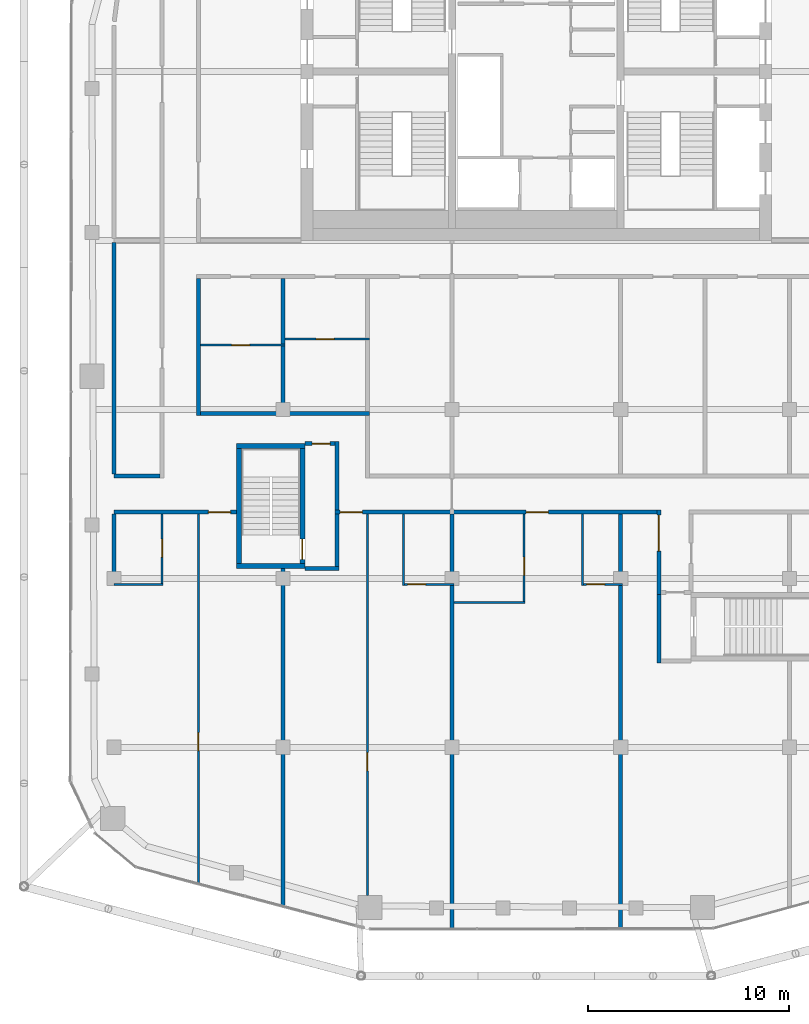
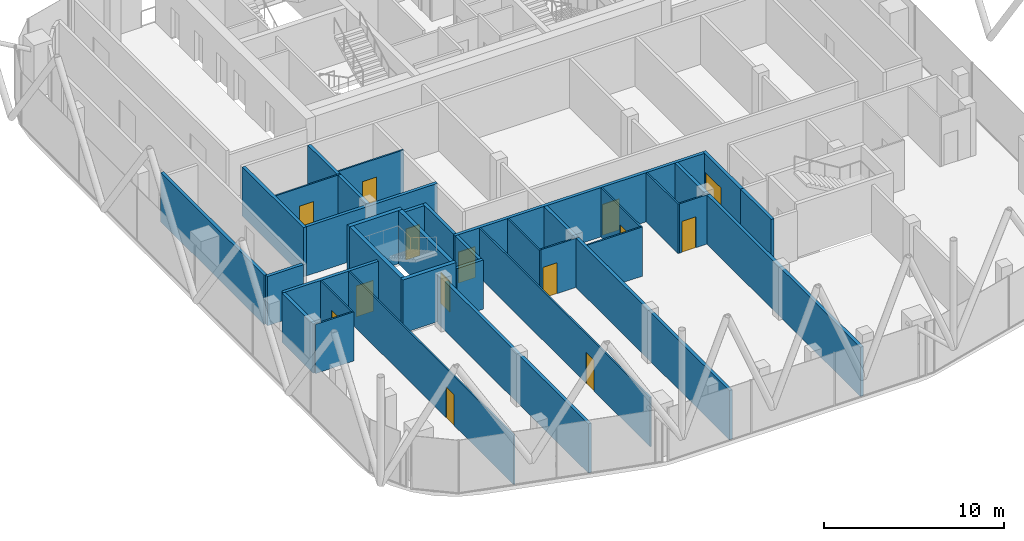
# One storey, part 21 of 27: 33 walls, 14 doors, 14 openings.
"""IFC4 building model written with IfcOpenShell, lengths in metres."""

from ifc_helpers import new_model, si_unit, direction, frame, frame_2d, origin, place, context, subcontext, project, spatial, rectangle, extrude, material, layer, layer_set, type_object, element, fill, save


model = new_model("IFC4")

# Units and contexts
model_context = context("Model", 3, precision=1e-05, world=origin(), true_north=direction((0.0, 1.0)))
body_context = subcontext(model_context, "Body", "Model", "MODEL_VIEW")
ifc_project = project(units=[si_unit("LENGTHUNIT", "METRE"), si_unit("AREAUNIT", "SQUARE_METRE"), si_unit("VOLUMEUNIT", "CUBIC_METRE"), si_unit("PLANEANGLEUNIT", "RADIAN"), si_unit("MASSUNIT", "GRAM", prefix="KILO")], contexts=[model_context])

# Site, building, storey
site_placement = place(None, origin())
site = spatial("IfcSite", under=ifc_project, at=site_placement, CompositionType="ELEMENT")
building_placement = place(site_placement, origin())
building = spatial("IfcBuilding", under=site, at=building_placement, Name="Marenta Gate Hotel Tower", CompositionType="ELEMENT")
storey_placement = place(building_placement, frame((0.0, 0.0, 270.5)))
storey = spatial("IfcBuildingStorey", under=building, at=storey_placement, Name="L62", CompositionType="ELEMENT", Elevation=270.5)

# Walls
ifc_material_1 = material(Name="Concrete blockwork", Category="masonry")
ifc_layer_1 = layer(ifc_material_1, 0.199951171875)
ifc_layer_set_1 = layer_set([ifc_layer_1], Name="Concrete blockwork")
wall_type_1 = type_object("IfcWallType", Name="Compartment wall 200 REI 180", PredefinedType="PARTITIONING", material=ifc_layer_set_1)
wall_1_placement = place(storey_placement, frame((-4.199951171875, -34.199951171875, 0.0), z_axis=(0.0, 0.0, 1.0), x_axis=(0.0, 1.0, 0.0)))
element("IfcWall", 1, at=wall_1_placement, inside=storey, type_object=wall_type_1, Name="L62-PTN-W040", PredefinedType="PARTITIONING", context=body_context, shape_type="SweptSolid", body=[
    extrude(rectangle(XDim=20.599853515625, YDim=0.199951171875, at=frame_2d((10.2998046875, 0.0))), origin(), (0.0, 0.0, 1.0), 3.340087890625),
])
ifc_material_2 = material(Name="Concrete C40", Category="concrete")
ifc_layer_2 = layer(ifc_material_2, 0.25)
ifc_layer_set_2 = layer_set([ifc_layer_2], Name="Concrete C40")
wall_type_2 = type_object("IfcWallType", Name="Remote stair enclosure wall 250 REI 180", PredefinedType="SHEAR", material=ifc_layer_set_2)
for number, where, z_axis, x_axis, name in (
    (2, (-14.89990234375, -16.175048828125, 0.10009765625), (0.0, 0.0, 1.0), (1.0, 0.0, 0.0), "L62-RS-Z4-2-W1"),
    (3, (-14.89990234375, -10.22509765625, 0.10009765625), (0.0, 0.0, 1.0), (1.0, 0.0, 0.0), "L62-RS-Z4-2-W2"),
):
    element("IfcWall", number, at=place(storey_placement, frame(where, z_axis=z_axis, x_axis=x_axis)), inside=storey, type_object=wall_type_2, Name=name, PredefinedType="SHEAR", context=body_context, shape_type="SweptSolid", body=[
        extrude(rectangle(XDim=3.39990234375, YDim=0.25, at=frame_2d((1.699951171875, 0.0))), origin(), (0.0, 0.0, 1.0), 3.599853515625),
    ])
wall_2_placement = place(storey_placement, frame((-14.77490234375, -16.050048828125, 0.10009765625), z_axis=(0.0, 0.0, 1.0), x_axis=(0.0, 1.0, 0.0)))
element("IfcWall", 4, at=wall_2_placement, inside=storey, type_object=wall_type_2, Name="L62-RS-Z4-2-W3", PredefinedType="SHEAR", context=body_context, shape_type="SweptSolid", body=[
    extrude(rectangle(XDim=5.699951171875, YDim=0.25, at=frame_2d((2.85009765625, 0.0))), origin(), (0.0, 0.0, 1.0), 3.599853515625),
])

# Wall, opening, door
wall_3_placement = place(storey_placement, frame((-11.625, -16.050048828125, 0.10009765625), z_axis=(0.0, 0.0, 1.0), x_axis=(0.0, 1.0, 0.0)))
wall_3 = element("IfcWall", 5, at=wall_3_placement, inside=storey, type_object=wall_type_2, Name="L62-RS-Z4-2-W4", PredefinedType="SHEAR", context=body_context, shape_type="SweptSolid", body=[
    extrude(rectangle(XDim=5.699951171875, YDim=0.25, at=frame_2d((2.85009765625, 0.0))), origin(), (0.0, 0.0, 1.0), 3.599853515625),
])
opening_1_placement = place(wall_3_placement, frame((0.199951171875, 0.0, 0.0)))
opening_1 = element("IfcOpeningElement", 6, at=opening_1_placement, cuts=wall_3, Name="Opening VD", PredefinedType="OPENING", context=body_context, shape_type="SweptSolid", body=[
    extrude(rectangle(XDim=1.0, YDim=2.10009765625, at=frame_2d((0.5, 1.050048828125))), frame((0.0, 0.125, 0.0), z_axis=(0.0, -1.0, 0.0), x_axis=(1.0, 0.0, 0.0)), (0.0, 0.0, 1.0), 0.25),
])
ifc_material_3 = material(Name="Steel", Category="steel")
door_type_1 = type_object("IfcDoorType", Name="Stair vestibule door 1000x2100 FD60", OperationType="SINGLE_SWING_LEFT", PredefinedType="DOOR", material=ifc_material_3)
door_1_placement = place(opening_1_placement, origin())
door_1 = element("IfcDoor", 7, at=door_1_placement, inside=storey, type_object=door_type_1, Name="VD", OperationType="SINGLE_SWING_LEFT", OverallHeight=2.10009765625, OverallWidth=1.0, PredefinedType="DOOR", context=body_context, shape_type="SweptSolid", body=[
    extrude(rectangle(XDim=1.0, YDim=2.10009765625, at=frame_2d((0.5, 1.050048828125))), frame((0.0, 0.02490234375, 0.0), z_axis=(0.0, -1.0, 0.0), x_axis=(1.0, 0.0, 0.0)), (0.0, 0.0, 1.0), 0.050048828125),
])
fill(opening_1, door_1)

# Wall
ifc_material_4 = material(Name="Concrete blockwork", Category="masonry")
ifc_layer_3 = layer(ifc_material_4, 0.199951171875)
ifc_layer_set_3 = layer_set([ifc_layer_3], Name="Concrete blockwork")
wall_type_3 = type_object("IfcWallType", Name="Room corridor wall 200 EI 120", PredefinedType="PARTITIONING", material=ifc_layer_set_3)
wall_4_placement = place(storey_placement, frame((-16.699951171875, -8.60009765625, 0.0), z_axis=(0.0, 0.0, 1.0), x_axis=(1.0, 0.0, 0.0)))
element("IfcWall", 8, at=wall_4_placement, inside=storey, type_object=wall_type_3, Name="L62-PTN-W026", PredefinedType="PARTITIONING", context=body_context, shape_type="SweptSolid", body=[
    extrude(rectangle(XDim=8.39990234375, YDim=0.199951171875, at=frame_2d((4.199951171875, 0.0))), origin(), (0.0, 0.0, 1.0), 3.340087890625),
])

# Wall, opening, door
ifc_material_5 = material(Name="Gypsum board on steel stud", Category="steel")
ifc_layer_4 = layer(ifc_material_5, 0.199951171875)
ifc_layer_set_4 = layer_set([ifc_layer_4], Name="Gypsum board on steel stud")
wall_type_4 = type_object("IfcWallType", Name="Room corridor wall 200 EI 60", PredefinedType="PARTITIONING", material=ifc_layer_set_4)
wall_5_placement = place(storey_placement, frame((-21.0, -13.5, 0.0), z_axis=(0.0, 0.0, 1.0), x_axis=(1.0, 0.0, 0.0)))
wall_5 = element("IfcWall", 9, at=wall_5_placement, inside=storey, type_object=wall_type_4, Name="L62-PTN-W016", PredefinedType="PARTITIONING", context=body_context, shape_type="SweptSolid", body=[
    extrude(rectangle(XDim=6.10009765625, YDim=0.199951171875, at=frame_2d((3.050048828125, 0.0))), origin(), (0.0, 0.0, 1.0), 3.340087890625),
])
opening_2_placement = place(wall_5_placement, frame((4.699951171875, 0.0, 0.0)))
opening_2 = element("IfcOpeningElement", 10, at=opening_2_placement, cuts=wall_5, Name="Opening G23-11", PredefinedType="OPENING", context=body_context, shape_type="SweptSolid", body=[
    extrude(rectangle(XDim=1.10009765625, YDim=2.10009765625, at=frame_2d((0.550048828125, 1.050048828125))), frame((0.0, 0.10009765625, 0.0), z_axis=(0.0, -1.0, 0.0), x_axis=(1.0, 0.0, 0.0)), (0.0, 0.0, 1.0), 0.199951171875),
])
ifc_material_6 = material(Name="Timber door leaf", Category="wood")
door_type_2 = type_object("IfcDoorType", Name="Guest room door 1100x2100 EI 30", OperationType="NOTDEFINED", PredefinedType="DOOR", material=ifc_material_6)
door_2_placement = place(opening_2_placement, origin())
door_2 = element("IfcDoor", 11, at=door_2_placement, inside=storey, type_object=door_type_2, Name="L62-PD-D011", OperationType="SINGLE_SWING_RIGHT", OverallHeight=2.10009765625, OverallWidth=1.10009765625, PredefinedType="DOOR", context=body_context, shape_type="SweptSolid", body=[
    extrude(rectangle(XDim=1.10009765625, YDim=2.10009765625, at=frame_2d((0.550048828125, 1.050048828125))), frame((0.0, 0.02490234375, 0.0), z_axis=(0.0, -1.0, 0.0), x_axis=(1.0, 0.0, 0.0)), (0.0, 0.0, 1.0), 0.050048828125),
])
fill(opening_2, door_2)

# Wall, openings, doors
wall_6_placement = place(storey_placement, frame((-10.0, -13.5, 0.0), z_axis=(0.0, 0.0, 1.0), x_axis=(1.0, 0.0, 0.0)))
wall_6 = element("IfcWall", 12, at=wall_6_placement, inside=storey, type_object=wall_type_4, Name="L62-PTN-W017", PredefinedType="PARTITIONING", context=body_context, shape_type="SweptSolid", body=[
    extrude(rectangle(XDim=16.0, YDim=0.199951171875, at=frame_2d((8.0, 0.0))), origin(), (0.0, 0.0, 1.0), 3.340087890625),
])
opening_3_placement = place(wall_6_placement, frame((0.25, 0.0, 0.0)))
opening_3 = element("IfcOpeningElement", 13, at=opening_3_placement, cuts=wall_6, Name="Opening G23-14", PredefinedType="OPENING", context=body_context, shape_type="SweptSolid", body=[
    extrude(rectangle(XDim=1.10009765625, YDim=2.10009765625, at=frame_2d((0.550048828125, 1.050048828125))), frame((0.0, 0.10009765625, 0.0), z_axis=(0.0, -1.0, 0.0), x_axis=(1.0, 0.0, 0.0)), (0.0, 0.0, 1.0), 0.199951171875),
])
opening_4_placement = place(wall_6_placement, frame((9.5, 0.0, 0.0)))
opening_4 = element("IfcOpeningElement", 14, at=opening_4_placement, cuts=wall_6, Name="Opening G23-17", PredefinedType="OPENING", context=body_context, shape_type="SweptSolid", body=[
    extrude(rectangle(XDim=1.10009765625, YDim=2.10009765625, at=frame_2d((0.550048828125, 1.050048828125))), frame((0.0, 0.10009765625, 0.0), z_axis=(0.0, -1.0, 0.0), x_axis=(1.0, 0.0, 0.0)), (0.0, 0.0, 1.0), 0.199951171875),
])
door_3_placement = place(opening_3_placement, origin())
door_3 = element("IfcDoor", 15, at=door_3_placement, inside=storey, type_object=door_type_2, Name="L62-PD-D014", OperationType="SINGLE_SWING_RIGHT", OverallHeight=2.10009765625, OverallWidth=1.10009765625, PredefinedType="DOOR", context=body_context, shape_type="SweptSolid", body=[
    extrude(rectangle(XDim=1.10009765625, YDim=2.10009765625, at=frame_2d((0.550048828125, 1.050048828125))), frame((0.0, 0.02490234375, 0.0), z_axis=(0.0, -1.0, 0.0), x_axis=(1.0, 0.0, 0.0)), (0.0, 0.0, 1.0), 0.050048828125),
])
fill(opening_3, door_3)
door_4_placement = place(opening_4_placement, origin())
door_4 = element("IfcDoor", 16, at=door_4_placement, inside=storey, type_object=door_type_2, Name="L62-PD-D017", OperationType="SINGLE_SWING_RIGHT", OverallHeight=2.10009765625, OverallWidth=1.10009765625, PredefinedType="DOOR", context=body_context, shape_type="SweptSolid", body=[
    extrude(rectangle(XDim=1.10009765625, YDim=2.10009765625, at=frame_2d((0.550048828125, 1.050048828125))), frame((0.0, 0.02490234375, 0.0), z_axis=(0.0, -1.0, 0.0), x_axis=(1.0, 0.0, 0.0)), (0.0, 0.0, 1.0), 0.050048828125),
])
fill(opening_4, door_4)

# Wall
wall_7_placement = place(storey_placement, frame((-21.0, -11.699951171875, 0.0), z_axis=(0.0, 0.0, 1.0), x_axis=(1.0, 0.0, 0.0)))
element("IfcWall", 17, at=wall_7_placement, inside=storey, type_object=wall_type_4, Name="L62-PTN-W022", PredefinedType="PARTITIONING", context=body_context, shape_type="SweptSolid", body=[
    extrude(rectangle(XDim=2.300048828125, YDim=0.199951171875, at=frame_2d((1.14990234375, 0.0))), origin(), (0.0, 0.0, 1.0), 3.340087890625),
])

# Wall, opening, door
wall_8_placement = place(storey_placement, frame((6.10009765625, -17.60009765625, 0.0), z_axis=(0.0, 0.0, 1.0), x_axis=(0.0, 1.0, 0.0)))
wall_8 = element("IfcWall", 18, at=wall_8_placement, inside=storey, type_object=wall_type_4, Name="L62-PTN-W030", PredefinedType="PARTITIONING", context=body_context, shape_type="SweptSolid", body=[
    extrude(rectangle(XDim=4.2001953125, YDim=0.199951171875, at=frame_2d((2.10009765625, 0.0))), origin(), (0.0, 0.0, 1.0), 3.340087890625),
])
opening_5_placement = place(wall_8_placement, frame((2.14990234375, 0.0, 0.0)))
opening_5 = element("IfcOpeningElement", 19, at=opening_5_placement, cuts=wall_8, Name="Opening G23-20", PredefinedType="OPENING", context=body_context, shape_type="SweptSolid", body=[
    extrude(rectangle(XDim=1.800048828125, YDim=2.10009765625, at=frame_2d((0.89990234375, 1.050048828125))), frame((0.0, 0.10009765625, 0.0), z_axis=(0.0, -1.0, 0.0), x_axis=(1.0, 0.0, 0.0)), (0.0, 0.0, 1.0), 0.199951171875),
])
ifc_material_7 = material(Name="Timber door leaf", Category="wood")
door_type_3 = type_object("IfcDoorType", Name="Room amenity door 1800x2100 EI 30", OperationType="DOUBLE_DOOR_SINGLE_SWING", PredefinedType="DOOR", material=ifc_material_7)
door_5_placement = place(opening_5_placement, origin())
door_5 = element("IfcDoor", 20, at=door_5_placement, inside=storey, type_object=door_type_3, Name="L62-PD-D020", OperationType="DOUBLE_DOOR_SINGLE_SWING", OverallHeight=2.10009765625, OverallWidth=1.800048828125, PredefinedType="DOOR", context=body_context, shape_type="SweptSolid", body=[
    extrude(rectangle(XDim=1.800048828125, YDim=2.10009765625, at=frame_2d((0.89990234375, 1.050048828125))), frame((0.0, 0.02490234375, 0.0), z_axis=(0.0, -1.0, 0.0), x_axis=(1.0, 0.0, 0.0)), (0.0, 0.0, 1.0), 0.050048828125),
])
fill(opening_5, door_5)

# Walls
wall_9_placement = place(storey_placement, frame((-16.800048828125, -8.699951171875, 0.0), z_axis=(0.0, 0.0, 1.0), x_axis=(0.0, 1.0, 0.0)))
element("IfcWall", 21, at=wall_9_placement, inside=storey, type_object=wall_type_4, Name="L62-PTN-W051", PredefinedType="PARTITIONING", context=body_context, shape_type="SweptSolid", body=[
    extrude(rectangle(XDim=6.800048828125, YDim=0.199951171875, at=frame_2d((3.39990234375, 0.0))), origin(), (0.0, 0.0, 1.0), 3.340087890625),
])
wall_10_placement = place(storey_placement, frame((-21.0, -17.050048828125, 0.0), z_axis=(0.0, 0.0, 1.0), x_axis=(0.0, 1.0, 0.0)))
element("IfcWall", 22, at=wall_10_placement, inside=storey, type_object=wall_type_4, Name="L62-PTN-W054", PredefinedType="PARTITIONING", context=body_context, shape_type="SweptSolid", body=[
    extrude(rectangle(XDim=3.449951171875, YDim=0.199951171875, at=frame_2d((1.72509765625, 0.0))), origin(), (0.0, 0.0, 1.0), 3.340087890625),
])
wall_11_placement = place(storey_placement, frame((-21.0, -11.60009765625, 0.0), z_axis=(0.0, 0.0, 1.0), x_axis=(0.0, 1.0, 0.0)))
element("IfcWall", 23, at=wall_11_placement, inside=storey, type_object=wall_type_4, Name="L62-PTN-W055", PredefinedType="PARTITIONING", context=body_context, shape_type="SweptSolid", body=[
    extrude(rectangle(XDim=11.5, YDim=0.199951171875, at=frame_2d((5.75, 0.0))), origin(), (0.0, 0.0, 1.0), 3.340087890625),
])

# Wall, opening, door
ifc_material_8 = material(Name="Concrete blockwork", Category="masonry")
ifc_layer_5 = layer(ifc_material_8, 0.199951171875)
ifc_layer_set_5 = layer_set([ifc_layer_5], Name="Concrete blockwork")
wall_type_5 = type_object("IfcWallType", Name="Room corridor wall 200 REI 180", PredefinedType="PARTITIONING", material=ifc_layer_set_5)
wall_12_placement = place(storey_placement, frame((-11.5, -10.10009765625, 0.0), z_axis=(0.0, 0.0, 1.0), x_axis=(1.0, 0.0, 0.0)))
wall_12 = element("IfcWall", 24, at=wall_12_placement, inside=storey, type_object=wall_type_5, Name="L62-PTN-W025", PredefinedType="PARTITIONING", context=body_context, shape_type="SweptSolid", body=[
    extrude(rectangle(XDim=1.5, YDim=0.199951171875, at=frame_2d((0.75, 0.0))), origin(), (0.0, 0.0, 1.0), 3.340087890625),
])
opening_6_placement = place(wall_12_placement, frame((0.35009765625, 0.0, 0.0)))
opening_6 = element("IfcOpeningElement", 25, at=opening_6_placement, cuts=wall_12, Name="Opening G23-26", PredefinedType="OPENING", context=body_context, shape_type="SweptSolid", body=[
    extrude(rectangle(XDim=0.89990234375, YDim=2.10009765625, at=frame_2d((0.449951171875, 1.050048828125))), frame((0.0, 0.10009765625, 0.0), z_axis=(0.0, -1.0, 0.0), x_axis=(1.0, 0.0, 0.0)), (0.0, 0.0, 1.0), 0.199951171875),
])
ifc_material_9 = material(Name="Hollow steel door set", Category="steel")
door_type_4 = type_object("IfcDoorType", Name="Stair vestibule door 900x2100 EI 60", OperationType="NOTDEFINED", PredefinedType="DOOR", material=ifc_material_9)
door_6_placement = place(opening_6_placement, origin())
door_6 = element("IfcDoor", 26, at=door_6_placement, inside=storey, type_object=door_type_4, Name="L62-PD-D026", OperationType="SINGLE_SWING_LEFT", OverallHeight=2.10009765625, OverallWidth=0.89990234375, PredefinedType="DOOR", context=body_context, shape_type="SweptSolid", body=[
    extrude(rectangle(XDim=0.89990234375, YDim=2.10009765625, at=frame_2d((0.449951171875, 1.050048828125))), frame((0.0, 0.02490234375, 0.0), z_axis=(0.0, -1.0, 0.0), x_axis=(1.0, 0.0, 0.0)), (0.0, 0.0, 1.0), 0.050048828125),
])
fill(opening_6, door_6)

# Walls
wall_13_placement = place(storey_placement, frame((-9.89990234375, -13.39990234375, 0.0), z_axis=(0.0, 0.0, 1.0), x_axis=(0.0, 1.0, 0.0)))
element("IfcWall", 27, at=wall_13_placement, inside=storey, type_object=wall_type_5, Name="L62-PTN-W047", PredefinedType="PARTITIONING", context=body_context, shape_type="SweptSolid", body=[
    extrude(rectangle(XDim=3.39990234375, YDim=0.199951171875, at=frame_2d((1.699951171875, 0.0))), origin(), (0.0, 0.0, 1.0), 3.340087890625),
])
ifc_material_10 = material(Name="Gypsum board on steel stud", Category="steel")
ifc_layer_6 = layer(ifc_material_10, 0.10009765625)
ifc_layer_set_6 = layer_set([ifc_layer_6], Name="Gypsum board on steel stud")
wall_type_6 = type_object("IfcWallType", Name="Room partition 100", PredefinedType="PARTITIONING", material=ifc_layer_set_6)
wall_14_placement = place(storey_placement, frame((-4.10009765625, -18.0, 0.0), z_axis=(0.0, 0.0, 1.0), x_axis=(1.0, 0.0, 0.0)))
element("IfcWall", 28, at=wall_14_placement, inside=storey, type_object=wall_type_6, Name="L62-PTN-W006", PredefinedType="PARTITIONING", context=body_context, shape_type="SweptSolid", body=[
    extrude(rectangle(XDim=3.550048828125, YDim=0.10009765625, at=frame_2d((1.77490234375, 0.0))), origin(), (0.0, 0.0, 1.0), 3.340087890625),
])
wall_15_placement = place(storey_placement, frame((-21.0, -17.10009765625, 0.0), z_axis=(0.0, 0.0, 1.0), x_axis=(1.0, 0.0, 0.0)))
element("IfcWall", 29, at=wall_15_placement, inside=storey, type_object=wall_type_6, Name="L62-PTN-W009", PredefinedType="PARTITIONING", context=body_context, shape_type="SweptSolid", body=[
    extrude(rectangle(XDim=2.449951171875, YDim=0.10009765625, at=frame_2d((1.22509765625, 0.0))), origin(), (0.0, 0.0, 1.0), 3.340087890625),
])

# Wall, opening, door
wall_16_placement = place(storey_placement, frame((-6.550048828125, -17.10009765625, 0.0), z_axis=(0.0, 0.0, 1.0), x_axis=(1.0, 0.0, 0.0)))
wall_16 = element("IfcWall", 30, at=wall_16_placement, inside=storey, type_object=wall_type_6, Name="L62-PTN-W010", PredefinedType="PARTITIONING", context=body_context, shape_type="SweptSolid", body=[
    extrude(rectangle(XDim=2.449951171875, YDim=0.10009765625, at=frame_2d((1.22509765625, 0.0))), origin(), (0.0, 0.0, 1.0), 3.340087890625),
])
opening_7_placement = place(wall_16_placement, frame((0.14990234375, 0.0, 0.0)))
opening_7 = element("IfcOpeningElement", 31, at=opening_7_placement, cuts=wall_16, Name="Opening G23-16", PredefinedType="OPENING", context=body_context, shape_type="SweptSolid", body=[
    extrude(rectangle(XDim=0.89990234375, YDim=2.10009765625, at=frame_2d((0.449951171875, 1.050048828125))), frame((0.0, 0.050048828125, 0.0), z_axis=(0.0, -1.0, 0.0), x_axis=(1.0, 0.0, 0.0)), (0.0, 0.0, 1.0), 0.10009765625),
])
ifc_material_11 = material(Name="Timber door leaf", Category="wood")
door_type_5 = type_object("IfcDoorType", Name="Guest bathroom door 900x2100", OperationType="NOTDEFINED", PredefinedType="DOOR", material=ifc_material_11)
door_7_placement = place(opening_7_placement, origin())
door_7 = element("IfcDoor", 32, at=door_7_placement, inside=storey, type_object=door_type_5, Name="L62-PD-D016", OperationType="SINGLE_SWING_LEFT", OverallHeight=2.10009765625, OverallWidth=0.89990234375, PredefinedType="DOOR", context=body_context, shape_type="SweptSolid", body=[
    extrude(rectangle(XDim=0.89990234375, YDim=2.10009765625, at=frame_2d((0.449951171875, 1.050048828125))), frame((0.0, 0.02490234375, 0.0), z_axis=(0.0, -1.0, 0.0), x_axis=(1.0, 0.0, 0.0)), (0.0, 0.0, 1.0), 0.050048828125),
])
fill(opening_7, door_7)

wall_17_placement = place(storey_placement, frame((2.35009765625, -17.10009765625, 0.0), z_axis=(0.0, 0.0, 1.0), x_axis=(1.0, 0.0, 0.0)))
wall_17 = element("IfcWall", 33, at=wall_17_placement, inside=storey, type_object=wall_type_6, Name="L62-PTN-W011", PredefinedType="PARTITIONING", context=body_context, shape_type="SweptSolid", body=[
    extrude(rectangle(XDim=1.949951171875, YDim=0.10009765625, at=frame_2d((0.97509765625, 0.0))), origin(), (0.0, 0.0, 1.0), 3.340087890625),
])
opening_8_placement = place(wall_17_placement, frame((0.14990234375, 0.0, 0.0)))
opening_8 = element("IfcOpeningElement", 34, at=opening_8_placement, cuts=wall_17, Name="Opening G23-19", PredefinedType="OPENING", context=body_context, shape_type="SweptSolid", body=[
    extrude(rectangle(XDim=0.89990234375, YDim=2.10009765625, at=frame_2d((0.449951171875, 1.050048828125))), frame((0.0, 0.050048828125, 0.0), z_axis=(0.0, -1.0, 0.0), x_axis=(1.0, 0.0, 0.0)), (0.0, 0.0, 1.0), 0.10009765625),
])
ifc_material_12 = material(Name="Timber door leaf", Category="wood")
door_type_6 = type_object("IfcDoorType", Name="Room inner door 900x2100", OperationType="NOTDEFINED", PredefinedType="DOOR", material=ifc_material_12)
door_8_placement = place(opening_8_placement, origin())
door_8 = element("IfcDoor", 35, at=door_8_placement, inside=storey, type_object=door_type_6, Name="L62-PD-D019", OperationType="SINGLE_SWING_LEFT", OverallHeight=2.10009765625, OverallWidth=0.89990234375, PredefinedType="DOOR", context=body_context, shape_type="SweptSolid", body=[
    extrude(rectangle(XDim=0.89990234375, YDim=2.10009765625, at=frame_2d((0.449951171875, 1.050048828125))), frame((0.0, 0.02490234375, 0.0), z_axis=(0.0, -1.0, 0.0), x_axis=(1.0, 0.0, 0.0)), (0.0, 0.0, 1.0), 0.050048828125),
])
fill(opening_8, door_8)

wall_18_placement = place(storey_placement, frame((-16.699951171875, -5.199951171875, 0.0), z_axis=(0.0, 0.0, 1.0), x_axis=(1.0, 0.0, 0.0)))
wall_18 = element("IfcWall", 36, at=wall_18_placement, inside=storey, type_object=wall_type_6, Name="L62-PTN-W031", PredefinedType="PARTITIONING", context=body_context, shape_type="SweptSolid", body=[
    extrude(rectangle(XDim=4.199951171875, YDim=0.10009765625, at=frame_2d((2.10009765625, 0.0))), origin(), (0.0, 0.0, 1.0), 3.340087890625),
])
opening_9_placement = place(wall_18_placement, frame((1.550048828125, 0.0, 0.0)))
opening_9 = element("IfcOpeningElement", 37, at=opening_9_placement, cuts=wall_18, Name="Opening G23-02", PredefinedType="OPENING", context=body_context, shape_type="SweptSolid", body=[
    extrude(rectangle(XDim=0.89990234375, YDim=2.10009765625, at=frame_2d((0.449951171875, 1.050048828125))), frame((0.0, 0.050048828125, 0.0), z_axis=(0.0, -1.0, 0.0), x_axis=(1.0, 0.0, 0.0)), (0.0, 0.0, 1.0), 0.10009765625),
])
door_9_placement = place(opening_9_placement, origin())
door_9 = element("IfcDoor", 38, at=door_9_placement, inside=storey, type_object=door_type_6, Name="L62-PD-D002", OperationType="SINGLE_SWING_RIGHT", OverallHeight=2.10009765625, OverallWidth=0.89990234375, PredefinedType="DOOR", context=body_context, shape_type="SweptSolid", body=[
    extrude(rectangle(XDim=0.89990234375, YDim=2.10009765625, at=frame_2d((0.449951171875, 1.050048828125))), frame((0.0, 0.02490234375, 0.0), z_axis=(0.0, -1.0, 0.0), x_axis=(1.0, 0.0, 0.0)), (0.0, 0.0, 1.0), 0.050048828125),
])
fill(opening_9, door_9)

wall_19_placement = place(storey_placement, frame((-12.5, -4.89990234375, 0.0), z_axis=(0.0, 0.0, 1.0), x_axis=(1.0, 0.0, 0.0)))
wall_19 = element("IfcWall", 39, at=wall_19_placement, inside=storey, type_object=wall_type_6, Name="L62-PTN-W032", PredefinedType="PARTITIONING", context=body_context, shape_type="SweptSolid", body=[
    extrude(rectangle(XDim=4.199951171875, YDim=0.10009765625, at=frame_2d((2.10009765625, 0.0))), origin(), (0.0, 0.0, 1.0), 3.340087890625),
])
opening_10_placement = place(wall_19_placement, frame((1.550048828125, 0.0, 0.0)))
opening_10 = element("IfcOpeningElement", 40, at=opening_10_placement, cuts=wall_19, Name="Opening G23-04", PredefinedType="OPENING", context=body_context, shape_type="SweptSolid", body=[
    extrude(rectangle(XDim=0.89990234375, YDim=2.10009765625, at=frame_2d((0.449951171875, 1.050048828125))), frame((0.0, 0.050048828125, 0.0), z_axis=(0.0, -1.0, 0.0), x_axis=(1.0, 0.0, 0.0)), (0.0, 0.0, 1.0), 0.10009765625),
])
door_10_placement = place(opening_10_placement, origin())
door_10 = element("IfcDoor", 41, at=door_10_placement, inside=storey, type_object=door_type_6, Name="L62-PD-D004", OperationType="SINGLE_SWING_RIGHT", OverallHeight=2.10009765625, OverallWidth=0.89990234375, PredefinedType="DOOR", context=body_context, shape_type="SweptSolid", body=[
    extrude(rectangle(XDim=0.89990234375, YDim=2.10009765625, at=frame_2d((0.449951171875, 1.050048828125))), frame((0.0, 0.02490234375, 0.0), z_axis=(0.0, -1.0, 0.0), x_axis=(1.0, 0.0, 0.0)), (0.0, 0.0, 1.0), 0.050048828125),
])
fill(opening_10, door_10)

# Wall
wall_20_placement = place(storey_placement, frame((2.300048828125, -17.14990234375, 0.0), z_axis=(0.0, 0.0, 1.0), x_axis=(0.0, 1.0, 0.0)))
element("IfcWall", 42, at=wall_20_placement, inside=storey, type_object=wall_type_6, Name="L62-PTN-W035", PredefinedType="PARTITIONING", context=body_context, shape_type="SweptSolid", body=[
    extrude(rectangle(XDim=3.5498046875, YDim=0.10009765625, at=frame_2d((1.77490234375, 0.0))), origin(), (0.0, 0.0, 1.0), 3.340087890625),
])

# Wall, opening, door
wall_21_placement = place(storey_placement, frame((-0.60009765625, -17.949951171875, 0.0), z_axis=(0.0, 0.0, 1.0), x_axis=(0.0, 1.0, 0.0)))
wall_21 = element("IfcWall", 43, at=wall_21_placement, inside=storey, type_object=wall_type_6, Name="L62-PTN-W039", PredefinedType="PARTITIONING", context=body_context, shape_type="SweptSolid", body=[
    extrude(rectangle(XDim=4.349853515625, YDim=0.10009765625, at=frame_2d((2.1748046875, 0.0))), origin(), (0.0, 0.0, 1.0), 3.340087890625),
])
opening_11_placement = place(wall_21_placement, frame((1.300048828125, 0.0, 0.0)))
opening_11 = element("IfcOpeningElement", 44, at=opening_11_placement, cuts=wall_21, Name="Opening G23-18", PredefinedType="OPENING", context=body_context, shape_type="SweptSolid", body=[
    extrude(rectangle(XDim=0.89990234375, YDim=2.10009765625, at=frame_2d((0.449951171875, 1.050048828125))), frame((0.0, 0.050048828125, 0.0), z_axis=(0.0, -1.0, 0.0), x_axis=(1.0, 0.0, 0.0)), (0.0, 0.0, 1.0), 0.10009765625),
])
door_11_placement = place(opening_11_placement, origin())
door_11 = element("IfcDoor", 45, at=door_11_placement, inside=storey, type_object=door_type_5, Name="L62-PD-D018", OperationType="SINGLE_SWING_LEFT", OverallHeight=2.10009765625, OverallWidth=0.89990234375, PredefinedType="DOOR", context=body_context, shape_type="SweptSolid", body=[
    extrude(rectangle(XDim=0.89990234375, YDim=2.10009765625, at=frame_2d((0.449951171875, 1.050048828125))), frame((0.0, 0.02490234375, 0.0), z_axis=(0.0, -1.0, 0.0), x_axis=(1.0, 0.0, 0.0)), (0.0, 0.0, 1.0), 0.050048828125),
])
fill(opening_11, door_11)

# Wall
wall_22_placement = place(storey_placement, frame((-6.60009765625, -17.14990234375, 0.0), z_axis=(0.0, 0.0, 1.0), x_axis=(0.0, 1.0, 0.0)))
element("IfcWall", 46, at=wall_22_placement, inside=storey, type_object=wall_type_6, Name="L62-PTN-W042", PredefinedType="PARTITIONING", context=body_context, shape_type="SweptSolid", body=[
    extrude(rectangle(XDim=3.5498046875, YDim=0.10009765625, at=frame_2d((1.77490234375, 0.0))), origin(), (0.0, 0.0, 1.0), 3.340087890625),
])

# Wall, opening, door
wall_23_placement = place(storey_placement, frame((-8.39990234375, -32.574951171875, 0.0), z_axis=(0.0, 0.0, 1.0), x_axis=(0.0, 1.0, 0.0)))
wall_23 = element("IfcWall", 47, at=wall_23_placement, inside=storey, type_object=wall_type_6, Name="L62-PTN-W043", PredefinedType="PARTITIONING", context=body_context, shape_type="SweptSolid", body=[
    extrude(rectangle(XDim=18.974853515625, YDim=0.10009765625, at=frame_2d((9.4873046875, 0.0))), origin(), (0.0, 0.0, 1.0), 3.340087890625),
])
opening_12_placement = place(wall_23_placement, frame((6.205078125, 0.0, 0.0)))
opening_12 = element("IfcOpeningElement", 48, at=opening_12_placement, cuts=wall_23, Name="Opening G23-15", PredefinedType="OPENING", context=body_context, shape_type="SweptSolid", body=[
    extrude(rectangle(XDim=0.89990234375, YDim=2.10009765625, at=frame_2d((0.449951171875, 1.050048828125))), frame((0.0, 0.050048828125, 0.0), z_axis=(0.0, -1.0, 0.0), x_axis=(1.0, 0.0, 0.0)), (0.0, 0.0, 1.0), 0.10009765625),
])
door_12_placement = place(opening_12_placement, origin())
door_12 = element("IfcDoor", 49, at=door_12_placement, inside=storey, type_object=door_type_6, Name="L62-PD-D015", OperationType="SINGLE_SWING_LEFT", OverallHeight=2.10009765625, OverallWidth=0.89990234375, PredefinedType="DOOR", context=body_context, shape_type="SweptSolid", body=[
    extrude(rectangle(XDim=0.89990234375, YDim=2.10009765625, at=frame_2d((0.449951171875, 1.050048828125))), frame((0.0, 0.02490234375, 0.0), z_axis=(0.0, -1.0, 0.0), x_axis=(1.0, 0.0, 0.0)), (0.0, 0.0, 1.0), 0.050048828125),
])
fill(opening_12, door_12)

wall_24_placement = place(storey_placement, frame((-16.800048828125, -31.95703125, 0.0), z_axis=(0.0, 0.0, 1.0), x_axis=(0.0, 1.0, 0.0)))
wall_24 = element("IfcWall", 50, at=wall_24_placement, inside=storey, type_object=wall_type_6, Name="L62-PTN-W050", PredefinedType="PARTITIONING", context=body_context, shape_type="SweptSolid", body=[
    extrude(rectangle(XDim=18.35693359375, YDim=0.10009765625, at=frame_2d((9.178466796875, 0.0))), origin(), (0.0, 0.0, 1.0), 3.340087890625),
])
opening_13_placement = place(wall_24_placement, frame((6.590087890625, 0.0, 0.0)))
opening_13 = element("IfcOpeningElement", 51, at=opening_13_placement, cuts=wall_24, Name="Opening G23-12", PredefinedType="OPENING", context=body_context, shape_type="SweptSolid", body=[
    extrude(rectangle(XDim=0.89990234375, YDim=2.10009765625, at=frame_2d((0.449951171875, 1.050048828125))), frame((0.0, 0.050048828125, 0.0), z_axis=(0.0, -1.0, 0.0), x_axis=(1.0, 0.0, 0.0)), (0.0, 0.0, 1.0), 0.10009765625),
])
door_13_placement = place(opening_13_placement, origin())
door_13 = element("IfcDoor", 52, at=door_13_placement, inside=storey, type_object=door_type_6, Name="L62-PD-D012", OperationType="SINGLE_SWING_LEFT", OverallHeight=2.10009765625, OverallWidth=0.89990234375, PredefinedType="DOOR", context=body_context, shape_type="SweptSolid", body=[
    extrude(rectangle(XDim=0.89990234375, YDim=2.10009765625, at=frame_2d((0.449951171875, 1.050048828125))), frame((0.0, 0.02490234375, 0.0), z_axis=(0.0, -1.0, 0.0), x_axis=(1.0, 0.0, 0.0)), (0.0, 0.0, 1.0), 0.050048828125),
])
fill(opening_13, door_13)

wall_25_placement = place(storey_placement, frame((-18.60009765625, -17.050048828125, 0.0), z_axis=(0.0, 0.0, 1.0), x_axis=(0.0, 1.0, 0.0)))
wall_25 = element("IfcWall", 53, at=wall_25_placement, inside=storey, type_object=wall_type_6, Name="L62-PTN-W052", PredefinedType="PARTITIONING", context=body_context, shape_type="SweptSolid", body=[
    extrude(rectangle(XDim=3.449951171875, YDim=0.10009765625, at=frame_2d((1.72509765625, 0.0))), origin(), (0.0, 0.0, 1.0), 3.340087890625),
])
opening_14_placement = place(wall_25_placement, frame((1.300048828125, 0.0, 0.0)))
opening_14 = element("IfcOpeningElement", 54, at=opening_14_placement, cuts=wall_25, Name="Opening G23-13", PredefinedType="OPENING", context=body_context, shape_type="SweptSolid", body=[
    extrude(rectangle(XDim=0.89990234375, YDim=2.10009765625, at=frame_2d((0.449951171875, 1.050048828125))), frame((0.0, 0.050048828125, 0.0), z_axis=(0.0, -1.0, 0.0), x_axis=(1.0, 0.0, 0.0)), (0.0, 0.0, 1.0), 0.10009765625),
])
door_14_placement = place(opening_14_placement, origin())
door_14 = element("IfcDoor", 55, at=door_14_placement, inside=storey, type_object=door_type_5, Name="L62-PD-D013", OperationType="SINGLE_SWING_RIGHT", OverallHeight=2.10009765625, OverallWidth=0.89990234375, PredefinedType="DOOR", context=body_context, shape_type="SweptSolid", body=[
    extrude(rectangle(XDim=0.89990234375, YDim=2.10009765625, at=frame_2d((0.449951171875, 1.050048828125))), frame((0.0, 0.02490234375, 0.0), z_axis=(0.0, -1.0, 0.0), x_axis=(1.0, 0.0, 0.0)), (0.0, 0.0, 1.0), 0.050048828125),
])
fill(opening_14, door_14)

# Walls
ifc_material_13 = material(Name="Concrete blockwork", Category="masonry")
ifc_layer_7 = layer(ifc_material_13, 0.199951171875)
ifc_layer_set_7 = layer_set([ifc_layer_7], Name="Concrete blockwork")
wall_type_7 = type_object("IfcWallType", Name="Room party wall 200 EI 120", PredefinedType="PARTITIONING", material=ifc_layer_set_7)
wall_26_placement = place(storey_placement, frame((-12.60009765625, -8.5, 0.0), z_axis=(0.0, 0.0, 1.0), x_axis=(0.0, 1.0, 0.0)))
element("IfcWall", 56, at=wall_26_placement, inside=storey, type_object=wall_type_7, Name="L62-PTN-W049", PredefinedType="PARTITIONING", context=body_context, shape_type="SweptSolid", body=[
    extrude(rectangle(XDim=6.60009765625, YDim=0.199951171875, at=frame_2d((3.300048828125, 0.0))), origin(), (0.0, 0.0, 1.0), 3.340087890625),
])
ifc_material_14 = material(Name="Gypsum board on steel stud", Category="steel")
ifc_layer_8 = layer(ifc_material_14, 0.199951171875)
ifc_layer_set_8 = layer_set([ifc_layer_8], Name="Gypsum board on steel stud")
wall_type_8 = type_object("IfcWallType", Name="Room party wall 200 EI 60", PredefinedType="PARTITIONING", material=ifc_layer_set_8)
wall_27_placement = place(storey_placement, frame((4.199951171875, -34.199951171875, 0.0), z_axis=(0.0, 0.0, 1.0), x_axis=(0.0, 1.0, 0.0)))
element("IfcWall", 57, at=wall_27_placement, inside=storey, type_object=wall_type_8, Name="L62-PTN-W033", PredefinedType="PARTITIONING", context=body_context, shape_type="SweptSolid", body=[
    extrude(rectangle(XDim=20.599853515625, YDim=0.199951171875, at=frame_2d((10.2998046875, 0.0))), origin(), (0.0, 0.0, 1.0), 3.340087890625),
])
wall_28_placement = place(storey_placement, frame((-12.60009765625, -33.074951171875, 0.0), z_axis=(0.0, 0.0, 1.0), x_axis=(0.0, 1.0, 0.0)))
element("IfcWall", 58, at=wall_28_placement, inside=storey, type_object=wall_type_8, Name="L62-PTN-W048", PredefinedType="PARTITIONING", context=body_context, shape_type="SweptSolid", body=[
    extrude(rectangle(XDim=16.77490234375, YDim=0.199951171875, at=frame_2d((8.387451171875, 0.0))), origin(), (0.0, 0.0, 1.0), 3.340087890625),
])
ifc_material_15 = material(Name="Concrete blockwork", Category="masonry")
ifc_layer_9 = layer(ifc_material_15, 0.199951171875)
ifc_layer_set_9 = layer_set([ifc_layer_9], Name="Concrete blockwork")
wall_type_9 = type_object("IfcWallType", Name="Room party wall 200 REI 180", PredefinedType="PARTITIONING", material=ifc_layer_set_9)
wall_29_placement = place(storey_placement, frame((-11.5, -16.300048828125, 0.0), z_axis=(0.0, 0.0, 1.0), x_axis=(1.0, 0.0, 0.0)))
element("IfcWall", 59, at=wall_29_placement, inside=storey, type_object=wall_type_9, Name="L62-PTN-W014", PredefinedType="PARTITIONING", context=body_context, shape_type="SweptSolid", body=[
    extrude(rectangle(XDim=1.699951171875, YDim=0.199951171875, at=frame_2d((0.85009765625, 0.0))), origin(), (0.0, 0.0, 1.0), 3.340087890625),
])
wall_30_placement = place(storey_placement, frame((6.10009765625, -21.0, 0.0), z_axis=(0.0, 0.0, 1.0), x_axis=(0.0, 1.0, 0.0)))
element("IfcWall", 60, at=wall_30_placement, inside=storey, type_object=wall_type_9, Name="L62-PTN-W029", PredefinedType="PARTITIONING", context=body_context, shape_type="SweptSolid", body=[
    extrude(rectangle(XDim=3.39990234375, YDim=0.199951171875, at=frame_2d((1.699951171875, 0.0))), origin(), (0.0, 0.0, 1.0), 3.340087890625),
])
wall_31_placement = place(storey_placement, frame((-9.89990234375, -16.199951171875, 0.0), z_axis=(0.0, 0.0, 1.0), x_axis=(0.0, 1.0, 0.0)))
element("IfcWall", 61, at=wall_31_placement, inside=storey, type_object=wall_type_9, Name="L62-PTN-W046", PredefinedType="PARTITIONING", context=body_context, shape_type="SweptSolid", body=[
    extrude(rectangle(XDim=2.599853515625, YDim=0.199951171875, at=frame_2d((1.2998046875, 0.0))), origin(), (0.0, 0.0, 1.0), 3.340087890625),
])

save(model, "model.ifc")
